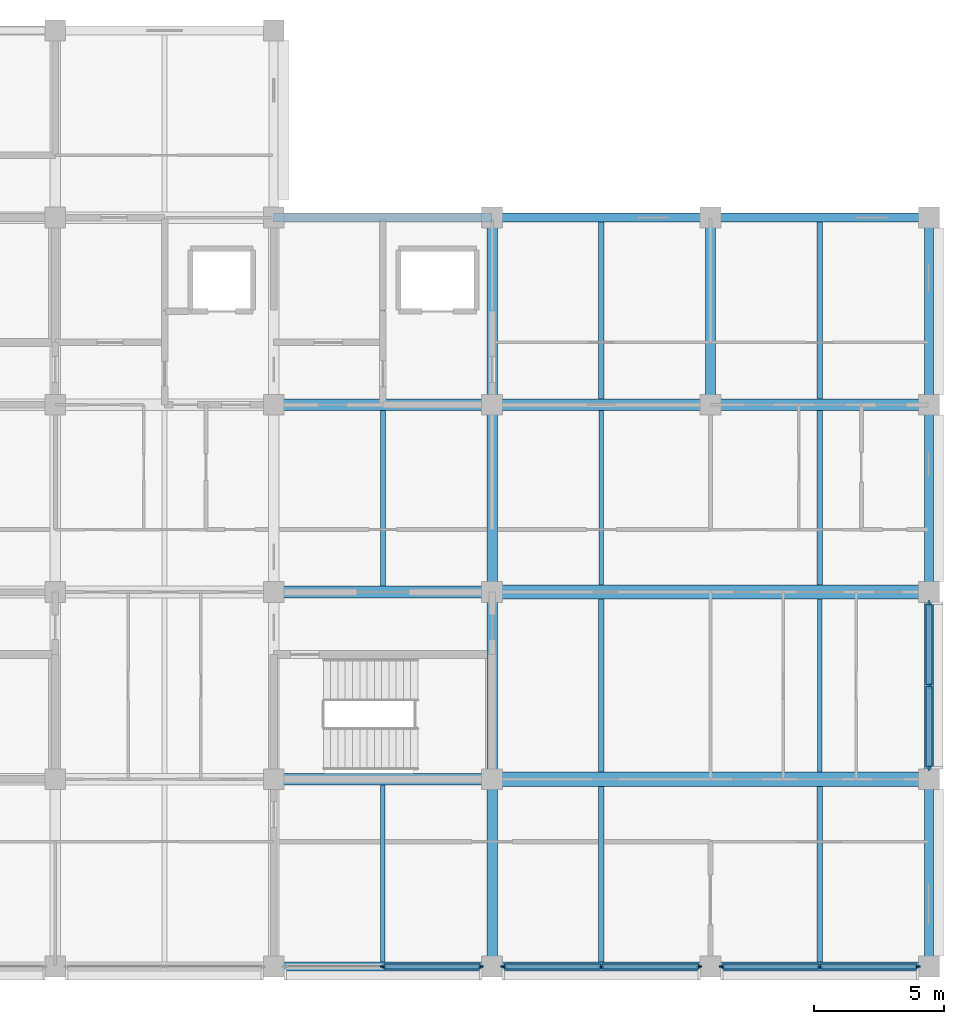
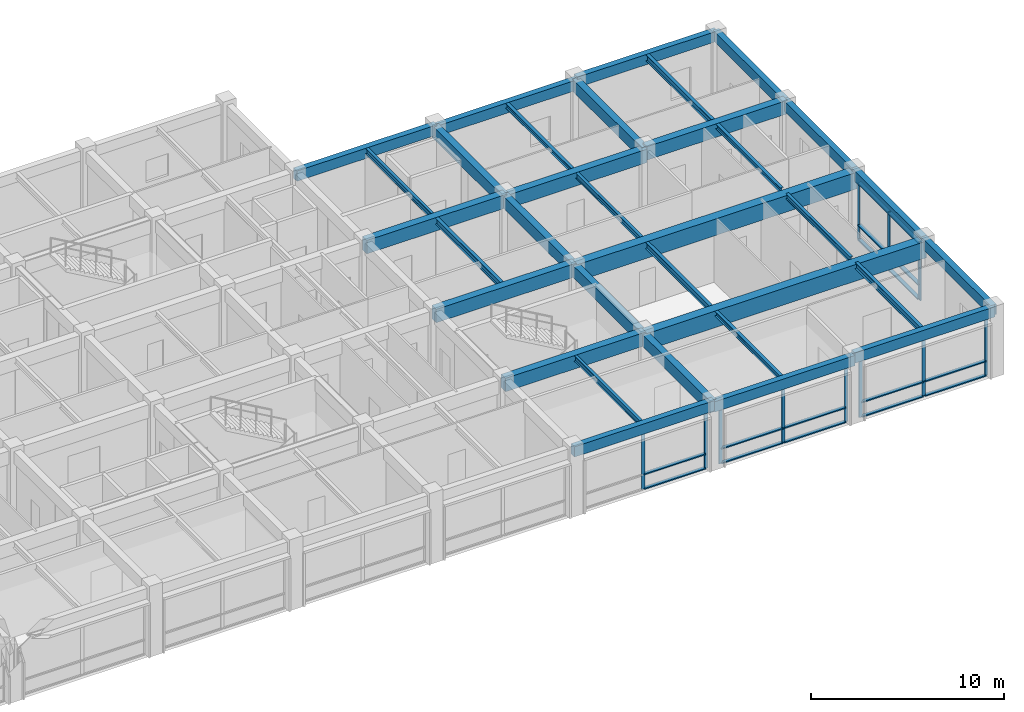
# One storey, part 10 of 30: 33 beams, 32 members, 4 elements without a shape of their own.
"""IFC4 building model written with IfcOpenShell, lengths in metres."""

from ifc_helpers import new_model, si_unit, direction, frame, origin, origin_2d, place, context, subcontext, project, spatial, rectangle, i_section, extrude, material, layer, layer_set, material_profile, profile_set, type_object, element, aggregate, save


model = new_model("IFC4")

# Units and contexts
model_context = context("Model", 3, precision=1e-05, world=origin(), true_north=direction((0.0, 1.0)))
body_context = subcontext(model_context, "Body", "Model", "MODEL_VIEW")
ifc_project = project(units=[si_unit("LENGTHUNIT", "METRE"), si_unit("AREAUNIT", "SQUARE_METRE"), si_unit("VOLUMEUNIT", "CUBIC_METRE"), si_unit("PLANEANGLEUNIT", "RADIAN"), si_unit("MASSUNIT", "GRAM", prefix="KILO")], contexts=[model_context])

# Site, building, storey
site_placement = place(None, origin())
site = spatial("IfcSite", under=ifc_project, at=site_placement, CompositionType="ELEMENT")
building_placement = place(site_placement, origin())
building = spatial("IfcBuilding", under=site, at=building_placement, Name="Chengyuan Square Courthouse", CompositionType="ELEMENT")
storey_placement = place(building_placement, frame((0.0, 0.0, 30.60009765625)))
storey = spatial("IfcBuildingStorey", under=building, at=storey_placement, Name="L07", CompositionType="ELEMENT", Elevation=30.60009765625)

# Beams
ifc_material_1 = material(Name="Concrete C40", Category="concrete")
ifc_material_profile_1 = material_profile(ifc_material_1, rectangle(XDim=0.449951171875, YDim=0.85009765625, at=origin_2d()), Name="RC-BM-450x850")
ifc_profile_set_1 = profile_set([ifc_material_profile_1], Name="Concrete C40")
beam_type_1 = type_object("IfcBeamType", Name="BM-01", PredefinedType="USERDEFINED", material=ifc_profile_set_1)
for number, where, z_axis, x_axis, name in (
    (1, (117.60009765625, 86.39990234375, 3.81494140625), (1.0, 0.0, 0.0), (0.0, 1.0, 0.0), "Girder BM-L07-3601"),
    (2, (117.60009765625, 93.60009765625, 3.81494140625), (1.0, 0.0, 0.0), (0.0, 1.0, 0.0), "Girder BM-L07-3613"),
    (3, (117.60009765625, 100.800048828125, 3.81494140625), (1.0, 0.0, 0.0), (0.0, 1.0, 0.0), "Girder BM-L07-3626"),
    (4, (126.0, 100.800048828125, 3.724853515625), (1.0, 0.0, 0.0), (0.0, 1.0, 0.0), "Girder BM-L07-3627"),
):
    element("IfcBeam", number, at=place(storey_placement, frame(where, z_axis=z_axis, x_axis=x_axis)), inside=storey, type_object=beam_type_1, Name=name, ObjectType="GIRDER", PredefinedType="USERDEFINED", context=body_context, shape_type="SweptSolid", body=[
        extrude(rectangle(XDim=0.449951171875, YDim=0.85009765625, at=origin_2d()), origin(), (0.0, 0.0, 1.0), 8.39990234375),
    ])
beam_1_placement = place(storey_placement, frame((134.39990234375, 100.800048828125, 3.875), z_axis=(1.0, 0.0, 0.0), x_axis=(0.0, 1.0, 0.0)))
element("IfcBeam", 5, at=beam_1_placement, inside=storey, type_object=beam_type_1, Name="Girder BM-L07-3628", ObjectType="GIRDER", PredefinedType="USERDEFINED", context=body_context, shape_type="SweptSolid", body=[
    extrude(rectangle(XDim=0.449951171875, YDim=0.85009765625, at=origin_2d()), origin(), (0.0, 0.0, 1.0), 8.400146484375),
])
ifc_material_profile_2 = material_profile(ifc_material_1, rectangle(XDim=0.39990234375, YDim=0.75, at=origin_2d()), Name="RC-BM-400x750")
ifc_profile_set_2 = profile_set([ifc_material_profile_2], Name="Concrete C40")
beam_type_2 = type_object("IfcBeamType", Name="BM-02", PredefinedType="USERDEFINED", material=ifc_profile_set_2)
beam_2_placement = place(storey_placement, frame((126.0, 79.199951171875, 3.77490234375), z_axis=(0.0, 1.0, 0.0), x_axis=(-1.0, 0.0, 0.0)))
element("IfcBeam", 6, at=beam_2_placement, inside=storey, type_object=beam_type_2, Name="Girder BM-L07-3705", ObjectType="GIRDER", PredefinedType="USERDEFINED", context=body_context, shape_type="SweptSolid", body=[
    extrude(rectangle(XDim=0.39990234375, YDim=0.75, at=origin_2d()), origin(), (0.0, 0.0, 1.0), 7.199951171875),
])
beam_3_placement = place(storey_placement, frame((126.0, 86.39990234375, 3.77490234375), z_axis=(0.0, 1.0, 0.0), x_axis=(-1.0, 0.0, 0.0)))
element("IfcBeam", 7, at=beam_3_placement, inside=storey, type_object=beam_type_2, Name="Girder BM-L07-3706", ObjectType="GIRDER", PredefinedType="USERDEFINED", context=body_context, shape_type="SweptSolid", body=[
    extrude(rectangle(XDim=0.39990234375, YDim=0.75, at=origin_2d()), origin(), (0.0, 0.0, 1.0), 7.2001953125),
])
for number, where, z_axis, x_axis, name in (
    (8, (126.0, 93.60009765625, 3.77490234375), (0.0, 1.0, 0.0), (-1.0, 0.0, 0.0), "Girder BM-L07-3707"),
    (9, (126.0, 100.800048828125, 3.77490234375), (0.0, 1.0, 0.0), (-1.0, 0.0, 0.0), "Girder BM-L07-3708"),
    (10, (134.39990234375, 100.800048828125, 3.77490234375), (0.0, 1.0, 0.0), (-1.0, 0.0, 0.0), "Girder BM-L07-3709"),
):
    element("IfcBeam", number, at=place(storey_placement, frame(where, z_axis=z_axis, x_axis=x_axis)), inside=storey, type_object=beam_type_2, Name=name, ObjectType="GIRDER", PredefinedType="USERDEFINED", context=body_context, shape_type="SweptSolid", body=[
        extrude(rectangle(XDim=0.39990234375, YDim=0.75, at=origin_2d()), origin(), (0.0, 0.0, 1.0), 7.199951171875),
    ])
ifc_material_profile_3 = material_profile(ifc_material_1, rectangle(XDim=0.35009765625, YDim=0.64990234375, at=origin_2d()), Name="RC-BM-350x650")
ifc_profile_set_3 = profile_set([ifc_material_profile_3], Name="Concrete C40")
beam_type_3 = type_object("IfcBeamType", Name="BM-03", PredefinedType="SPANDREL", material=ifc_profile_set_3)
for number, where, z_axis, x_axis, name in (
    (11, (117.60009765625, 79.199951171875, 3.914794921875), (1.0, 0.0, 0.0), (0.0, 1.0, 0.0), "Girder BM-L07-3588"),
    (12, (126.0, 79.199951171875, 3.824951171875), (1.0, 0.0, 0.0), (0.0, 1.0, 0.0), "Girder BM-L07-3589"),
):
    element("IfcBeam", number, at=place(storey_placement, frame(where, z_axis=z_axis, x_axis=x_axis)), inside=storey, type_object=beam_type_3, Name=name, PredefinedType="SPANDREL", context=body_context, shape_type="SweptSolid", body=[
        extrude(rectangle(XDim=0.35009765625, YDim=0.64990234375, at=origin_2d()), origin(), (0.0, 0.0, 1.0), 8.39990234375),
    ])
beam_4_placement = place(storey_placement, frame((134.39990234375, 79.199951171875, 3.974853515625), z_axis=(1.0, 0.0, 0.0), x_axis=(0.0, 1.0, 0.0)))
element("IfcBeam", 13, at=beam_4_placement, inside=storey, type_object=beam_type_3, Name="Girder BM-L07-3590", PredefinedType="SPANDREL", context=body_context, shape_type="SweptSolid", body=[
    extrude(rectangle(XDim=0.35009765625, YDim=0.64990234375, at=origin_2d()), origin(), (0.0, 0.0, 1.0), 8.400146484375),
])
for number, where, z_axis, x_axis, name in (
    (14, (117.60009765625, 108.0, 3.914794921875), (1.0, 0.0, 0.0), (0.0, 1.0, 0.0), "Girder BM-L07-3640"),
    (15, (126.0, 108.0, 3.824951171875), (1.0, 0.0, 0.0), (0.0, 1.0, 0.0), "Girder BM-L07-3641"),
):
    element("IfcBeam", number, at=place(storey_placement, frame(where, z_axis=z_axis, x_axis=x_axis)), inside=storey, type_object=beam_type_3, Name=name, PredefinedType="SPANDREL", context=body_context, shape_type="SweptSolid", body=[
        extrude(rectangle(XDim=0.35009765625, YDim=0.64990234375, at=origin_2d()), origin(), (0.0, 0.0, 1.0), 8.39990234375),
    ])
beam_5_placement = place(storey_placement, frame((134.39990234375, 108.0, 3.974853515625), z_axis=(1.0, 0.0, 0.0), x_axis=(0.0, 1.0, 0.0)))
element("IfcBeam", 16, at=beam_5_placement, inside=storey, type_object=beam_type_3, Name="Girder BM-L07-3642", PredefinedType="SPANDREL", context=body_context, shape_type="SweptSolid", body=[
    extrude(rectangle(XDim=0.35009765625, YDim=0.64990234375, at=origin_2d()), origin(), (0.0, 0.0, 1.0), 8.400146484375),
])
beam_6_placement = place(storey_placement, frame((142.800048828125, 79.199951171875, 3.974853515625), z_axis=(0.0, 1.0, 0.0), x_axis=(-1.0, 0.0, 0.0)))
element("IfcBeam", 17, at=beam_6_placement, inside=storey, type_object=beam_type_3, Name="Girder BM-L07-3710", PredefinedType="SPANDREL", context=body_context, shape_type="SweptSolid", body=[
    extrude(rectangle(XDim=0.35009765625, YDim=0.64990234375, at=origin_2d()), origin(), (0.0, 0.0, 1.0), 7.199951171875),
])
beam_7_placement = place(storey_placement, frame((142.800048828125, 86.39990234375, 3.974853515625), z_axis=(0.0, 1.0, 0.0), x_axis=(-1.0, 0.0, 0.0)))
element("IfcBeam", 18, at=beam_7_placement, inside=storey, type_object=beam_type_3, Name="Girder BM-L07-3711", PredefinedType="SPANDREL", context=body_context, shape_type="SweptSolid", body=[
    extrude(rectangle(XDim=0.35009765625, YDim=0.64990234375, at=origin_2d()), origin(), (0.0, 0.0, 1.0), 7.2001953125),
])
for number, where, z_axis, x_axis, name in (
    (19, (142.800048828125, 93.60009765625, 3.974853515625), (0.0, 1.0, 0.0), (-1.0, 0.0, 0.0), "Girder BM-L07-3712"),
    (20, (142.800048828125, 100.800048828125, 3.974853515625), (0.0, 1.0, 0.0), (-1.0, 0.0, 0.0), "Girder BM-L07-3713"),
):
    element("IfcBeam", number, at=place(storey_placement, frame(where, z_axis=z_axis, x_axis=x_axis)), inside=storey, type_object=beam_type_3, Name=name, PredefinedType="SPANDREL", context=body_context, shape_type="SweptSolid", body=[
        extrude(rectangle(XDim=0.35009765625, YDim=0.64990234375, at=origin_2d()), origin(), (0.0, 0.0, 1.0), 7.199951171875),
    ])
ifc_material_2 = material(Name="Steel Q355B", Category="steel")
ifc_material_profile_4 = material_profile(ifc_material_2, i_section(OverallWidth=0.199951171875, OverallDepth=0.39990234375, WebThickness=0.008056640625, FlangeThickness=0.012939453125, at=origin_2d()), Name="HN 400x200x8x13")
ifc_profile_set_4 = profile_set([ifc_material_profile_4], Name="Steel Q355B")
beam_type_4 = type_object("IfcBeamType", Name="BM-07", PredefinedType="BEAM", material=ifc_profile_set_4)
beam_8_placement = place(storey_placement, frame((121.800048828125, 93.824951171875, 4.039794921875), z_axis=(0.0, 1.0, 0.0), x_axis=(-1.0, 0.0, 0.0)))
element("IfcBeam", 21, at=beam_8_placement, inside=storey, type_object=beam_type_4, Name="Secondary Floor Beam SBM-L07-3758", PredefinedType="BEAM", context=body_context, shape_type="SweptSolid", body=[
    extrude(i_section(OverallWidth=0.199951171875, OverallDepth=0.39990234375, WebThickness=0.008056640625, FlangeThickness=0.012939453125, at=origin_2d()), origin(), (0.0, 0.0, 1.0), 6.75),
])
beam_9_placement = place(storey_placement, frame((130.199951171875, 86.675048828125, 3.949951171875), z_axis=(0.0, 1.0, 0.0), x_axis=(-1.0, 0.0, 0.0)))
element("IfcBeam", 22, at=beam_9_placement, inside=storey, type_object=beam_type_4, Name="Secondary Floor Beam SBM-L07-3761", PredefinedType="BEAM", context=body_context, shape_type="SweptSolid", body=[
    extrude(i_section(OverallWidth=0.199951171875, OverallDepth=0.39990234375, WebThickness=0.008056640625, FlangeThickness=0.012939453125, at=origin_2d()), origin(), (0.0, 0.0, 1.0), 6.64990234375),
])
beam_10_placement = place(storey_placement, frame((138.60009765625, 79.375, 4.099853515625), z_axis=(0.0, 1.0, 0.0), x_axis=(-1.0, 0.0, 0.0)))
element("IfcBeam", 23, at=beam_10_placement, inside=storey, type_object=beam_type_4, Name="Secondary Floor Beam SBM-L07-3764", PredefinedType="BEAM", context=body_context, shape_type="SweptSolid", body=[
    extrude(i_section(OverallWidth=0.199951171875, OverallDepth=0.39990234375, WebThickness=0.008056640625, FlangeThickness=0.012939453125, at=origin_2d()), origin(), (0.0, 0.0, 1.0), 6.75),
])
beam_11_placement = place(storey_placement, frame((138.60009765625, 101.02490234375, 4.099853515625), z_axis=(0.0, 1.0, 0.0), x_axis=(-1.0, 0.0, 0.0)))
element("IfcBeam", 24, at=beam_11_placement, inside=storey, type_object=beam_type_4, Name="Secondary Floor Beam SBM-L07-3767", PredefinedType="BEAM", context=body_context, shape_type="SweptSolid", body=[
    extrude(i_section(OverallWidth=0.199951171875, OverallDepth=0.39990234375, WebThickness=0.008056640625, FlangeThickness=0.012939453125, at=origin_2d()), origin(), (0.0, 0.0, 1.0), 6.800048828125),
])
ifc_material_profile_5 = material_profile(ifc_material_2, i_section(OverallWidth=0.175048828125, OverallDepth=0.35009765625, WebThickness=0.007080078125, FlangeThickness=0.010986328125, at=origin_2d()), Name="HN 350x175x7x11")
ifc_profile_set_5 = profile_set([ifc_material_profile_5], Name="Steel Q355B")
beam_type_5 = type_object("IfcBeamType", Name="BM-08", PredefinedType="BEAM", material=ifc_profile_set_5)
for number, where, z_axis, x_axis, name in (
    (25, (121.800048828125, 79.375, 4.06494140625), (0.0, 1.0, 0.0), (-1.0, 0.0, 0.0), "Secondary Floor Beam SBM-L07-3757"),
    (26, (121.800048828125, 101.02490234375, 4.06494140625), (0.0, 1.0, 0.0), (-1.0, 0.0, 0.0), "Secondary Floor Beam SBM-L07-3759"),
):
    element("IfcBeam", number, at=place(storey_placement, frame(where, z_axis=z_axis, x_axis=x_axis)), inside=storey, type_object=beam_type_5, Name=name, PredefinedType="BEAM", context=body_context, shape_type="SweptSolid", body=[
        extrude(i_section(OverallWidth=0.175048828125, OverallDepth=0.35009765625, WebThickness=0.007080078125, FlangeThickness=0.010986328125, at=origin_2d()), origin(), (0.0, 0.0, 1.0), 6.800048828125),
    ])
beam_12_placement = place(storey_placement, frame((130.199951171875, 93.875, 3.974853515625), z_axis=(0.0, 1.0, 0.0), x_axis=(-1.0, 0.0, 0.0)))
element("IfcBeam", 27, at=beam_12_placement, inside=storey, type_object=beam_type_5, Name="Secondary Floor Beam SBM-L07-3762", PredefinedType="BEAM", context=body_context, shape_type="SweptSolid", body=[
    extrude(i_section(OverallWidth=0.175048828125, OverallDepth=0.35009765625, WebThickness=0.007080078125, FlangeThickness=0.010986328125, at=origin_2d()), origin(), (0.0, 0.0, 1.0), 6.699951171875),
])
beam_13_placement = place(storey_placement, frame((138.60009765625, 86.675048828125, 4.125), z_axis=(0.0, 1.0, 0.0), x_axis=(-1.0, 0.0, 0.0)))
element("IfcBeam", 28, at=beam_13_placement, inside=storey, type_object=beam_type_5, Name="Secondary Floor Beam SBM-L07-3765", PredefinedType="BEAM", context=body_context, shape_type="SweptSolid", body=[
    extrude(i_section(OverallWidth=0.175048828125, OverallDepth=0.35009765625, WebThickness=0.007080078125, FlangeThickness=0.010986328125, at=origin_2d()), origin(), (0.0, 0.0, 1.0), 6.64990234375),
])
ifc_material_profile_6 = material_profile(ifc_material_2, i_section(OverallWidth=0.199951171875, OverallDepth=0.300048828125, WebThickness=0.008056640625, FlangeThickness=0.011962890625, at=origin_2d()), Name="HM 300x200x8x12")
ifc_profile_set_6 = profile_set([ifc_material_profile_6], Name="Steel Q355B")
beam_type_6 = type_object("IfcBeamType", Name="BM-09", PredefinedType="BEAM", material=ifc_profile_set_6)
beam_14_placement = place(storey_placement, frame((130.199951171875, 79.375, 4.0), z_axis=(0.0, 1.0, 0.0), x_axis=(-1.0, 0.0, 0.0)))
element("IfcBeam", 29, at=beam_14_placement, inside=storey, type_object=beam_type_6, Name="Secondary Floor Beam SBM-L07-3760", PredefinedType="BEAM", context=body_context, shape_type="SweptSolid", body=[
    extrude(i_section(OverallWidth=0.199951171875, OverallDepth=0.300048828125, WebThickness=0.008056640625, FlangeThickness=0.011962890625, at=origin_2d()), origin(), (0.0, 0.0, 1.0), 6.75),
])
beam_15_placement = place(storey_placement, frame((130.199951171875, 101.02490234375, 4.0), z_axis=(0.0, 1.0, 0.0), x_axis=(-1.0, 0.0, 0.0)))
element("IfcBeam", 30, at=beam_15_placement, inside=storey, type_object=beam_type_6, Name="Secondary Floor Beam SBM-L07-3763", PredefinedType="BEAM", context=body_context, shape_type="SweptSolid", body=[
    extrude(i_section(OverallWidth=0.199951171875, OverallDepth=0.300048828125, WebThickness=0.008056640625, FlangeThickness=0.011962890625, at=origin_2d()), origin(), (0.0, 0.0, 1.0), 6.800048828125),
])
beam_16_placement = place(storey_placement, frame((138.60009765625, 93.875, 4.14990234375), z_axis=(0.0, 1.0, 0.0), x_axis=(-1.0, 0.0, 0.0)))
element("IfcBeam", 31, at=beam_16_placement, inside=storey, type_object=beam_type_6, Name="Secondary Floor Beam SBM-L07-3766", PredefinedType="BEAM", context=body_context, shape_type="SweptSolid", body=[
    extrude(i_section(OverallWidth=0.199951171875, OverallDepth=0.300048828125, WebThickness=0.008056640625, FlangeThickness=0.011962890625, at=origin_2d()), origin(), (0.0, 0.0, 1.0), 6.699951171875),
])

# Curtain wall, members
ifc_material_3 = material(Name="Unitised Aluminium and Triple Low-E Glass", Category="aluminium")
ifc_layer_1 = layer(ifc_material_3, 0.199951171875)
ifc_layer_set_1 = layer_set([ifc_layer_1], Name="Unitised Aluminium and Triple Low-E Glass")
curtain_wall_type_1 = type_object("IfcCurtainWallType", Name="CW-19", PredefinedType="USERDEFINED", material=ifc_layer_set_1)
curtain_wall_1_placement = place(storey_placement, origin())
curtain_wall_1 = element("IfcCurtainWall", 32, at=curtain_wall_1_placement, inside=storey, type_object=curtain_wall_type_1, Name="Unitised Curtain Wall CW-L07-217", ObjectType="UNITISED CURTAIN WALL", PredefinedType="USERDEFINED")
ifc_material_4 = material(Name="Aluminium 6063-T6 Frame", Category="aluminium")
ifc_material_profile_7 = material_profile(ifc_material_4, rectangle(XDim=0.070068359375, YDim=0.199951171875, at=origin_2d()), Name="CW-MUL-70x200")
ifc_profile_set_7 = profile_set([ifc_material_profile_7], Name="Aluminium 6063-T6 Frame")
member_type_1 = type_object("IfcMemberType", Name="CWM-03", PredefinedType="MULLION", material=ifc_profile_set_7)
member_1_placement = place(storey_placement, frame((121.800048828125, 79.199951171875, 0.0), z_axis=(0.0, 0.0, 1.0), x_axis=(0.0, 1.0, 0.0)))
member_1 = element("IfcMember", 33, at=member_1_placement, type_object=member_type_1, Name="CW-19 mullion 2", PredefinedType="MULLION", context=body_context, shape_type="SweptSolid", body=[
    extrude(rectangle(XDim=0.070068359375, YDim=0.199951171875, at=origin_2d()), origin(), (0.0, 0.0, 1.0), 3.58984375),
])
member_2_placement = place(storey_placement, frame((125.56494140625, 79.199951171875, 0.0), z_axis=(0.0, 0.0, 1.0), x_axis=(0.0, 1.0, 0.0)))
member_2 = element("IfcMember", 34, at=member_2_placement, type_object=member_type_1, Name="CW-19 mullion 3", PredefinedType="MULLION", context=body_context, shape_type="SweptSolid", body=[
    extrude(rectangle(XDim=0.070068359375, YDim=0.199951171875, at=origin_2d()), origin(), (0.0, 0.0, 1.0), 3.58984375),
])

curtain_wall_2_placement = place(storey_placement, origin())
curtain_wall_2 = element("IfcCurtainWall", 35, at=curtain_wall_2_placement, inside=storey, type_object=curtain_wall_type_1, Name="Unitised Curtain Wall CW-L07-218", ObjectType="UNITISED CURTAIN WALL", PredefinedType="USERDEFINED")
member_3_placement = place(storey_placement, frame((126.43505859375, 79.199951171875, 0.0), z_axis=(0.0, 0.0, 1.0), x_axis=(0.0, 1.0, 0.0)))
member_3 = element("IfcMember", 36, at=member_3_placement, type_object=member_type_1, Name="CW-19 mullion 1", PredefinedType="MULLION", context=body_context, shape_type="SweptSolid", body=[
    extrude(rectangle(XDim=0.070068359375, YDim=0.199951171875, at=origin_2d()), origin(), (0.0, 0.0, 1.0), 3.5),
])
member_4_placement = place(storey_placement, frame((130.199951171875, 79.199951171875, 0.0), z_axis=(0.0, 0.0, 1.0), x_axis=(0.0, 1.0, 0.0)))
member_4 = element("IfcMember", 37, at=member_4_placement, type_object=member_type_1, Name="CW-19 mullion 2", PredefinedType="MULLION", context=body_context, shape_type="SweptSolid", body=[
    extrude(rectangle(XDim=0.070068359375, YDim=0.199951171875, at=origin_2d()), origin(), (0.0, 0.0, 1.0), 3.5),
])
member_5_placement = place(storey_placement, frame((133.965087890625, 79.199951171875, 0.0), z_axis=(0.0, 0.0, 1.0), x_axis=(0.0, 1.0, 0.0)))
member_5 = element("IfcMember", 38, at=member_5_placement, type_object=member_type_1, Name="CW-19 mullion 3", PredefinedType="MULLION", context=body_context, shape_type="SweptSolid", body=[
    extrude(rectangle(XDim=0.070068359375, YDim=0.199951171875, at=origin_2d()), origin(), (0.0, 0.0, 1.0), 3.5),
])

curtain_wall_3_placement = place(storey_placement, origin())
curtain_wall_3 = element("IfcCurtainWall", 39, at=curtain_wall_3_placement, inside=storey, type_object=curtain_wall_type_1, Name="Unitised Curtain Wall CW-L07-219", ObjectType="UNITISED CURTAIN WALL", PredefinedType="USERDEFINED")
member_6_placement = place(storey_placement, frame((134.8349609375, 79.199951171875, 0.0), z_axis=(0.0, 0.0, 1.0), x_axis=(0.0, 1.0, 0.0)))
member_6 = element("IfcMember", 40, at=member_6_placement, type_object=member_type_1, Name="CW-19 mullion 1", PredefinedType="MULLION", context=body_context, shape_type="SweptSolid", body=[
    extrude(rectangle(XDim=0.070068359375, YDim=0.199951171875, at=origin_2d()), origin(), (0.0, 0.0, 1.0), 3.64990234375),
])
member_7_placement = place(storey_placement, frame((138.60009765625, 79.199951171875, 0.0), z_axis=(0.0, 0.0, 1.0), x_axis=(0.0, 1.0, 0.0)))
member_7 = element("IfcMember", 41, at=member_7_placement, type_object=member_type_1, Name="CW-19 mullion 2", PredefinedType="MULLION", context=body_context, shape_type="SweptSolid", body=[
    extrude(rectangle(XDim=0.070068359375, YDim=0.199951171875, at=origin_2d()), origin(), (0.0, 0.0, 1.0), 3.64990234375),
])
member_8_placement = place(storey_placement, frame((142.364990234375, 79.199951171875, 0.0), z_axis=(0.0, 0.0, 1.0), x_axis=(0.0, 1.0, 0.0)))
member_8 = element("IfcMember", 42, at=member_8_placement, type_object=member_type_1, Name="CW-19 mullion 3", PredefinedType="MULLION", context=body_context, shape_type="SweptSolid", body=[
    extrude(rectangle(XDim=0.070068359375, YDim=0.199951171875, at=origin_2d()), origin(), (0.0, 0.0, 1.0), 3.64990234375),
])

ifc_layer_2 = layer(ifc_material_3, 0.219970703125)
ifc_layer_set_2 = layer_set([ifc_layer_2], Name="Unitised Aluminium and Triple Low-E Glass")
curtain_wall_type_2 = type_object("IfcCurtainWallType", Name="CW-08", PredefinedType="USERDEFINED", material=ifc_layer_set_2)
curtain_wall_4_placement = place(storey_placement, origin())
curtain_wall_4 = element("IfcCurtainWall", 43, at=curtain_wall_4_placement, inside=storey, type_object=curtain_wall_type_2, Name="Unitised Curtain Wall CW-L07-220", ObjectType="UNITISED CURTAIN WALL", PredefinedType="USERDEFINED")
ifc_material_profile_8 = material_profile(ifc_material_4, rectangle(XDim=0.080078125, YDim=0.219970703125, at=origin_2d()), Name="CW-MUL-80x220")
ifc_profile_set_8 = profile_set([ifc_material_profile_8], Name="Aluminium 6063-T6 Frame")
member_type_2 = type_object("IfcMemberType", Name="CWM-04", PredefinedType="MULLION", material=ifc_profile_set_8)
member_9_placement = place(storey_placement, frame((142.800048828125, 86.840087890625, 0.0), z_axis=(0.0, 0.0, 1.0), x_axis=(-1.0, 0.0, 0.0)))
member_9 = element("IfcMember", 44, at=member_9_placement, type_object=member_type_2, Name="CW-08 mullion 1", PredefinedType="MULLION", context=body_context, shape_type="SweptSolid", body=[
    extrude(rectangle(XDim=0.080078125, YDim=0.219970703125, at=origin_2d()), origin(), (0.0, 0.0, 1.0), 3.64990234375),
])
member_10_placement = place(storey_placement, frame((142.800048828125, 90.0, 0.0), z_axis=(0.0, 0.0, 1.0), x_axis=(-1.0, 0.0, 0.0)))
member_10 = element("IfcMember", 45, at=member_10_placement, type_object=member_type_2, Name="CW-08 mullion 2", PredefinedType="MULLION", context=body_context, shape_type="SweptSolid", body=[
    extrude(rectangle(XDim=0.080078125, YDim=0.219970703125, at=origin_2d()), origin(), (0.0, 0.0, 1.0), 3.64990234375),
])
member_11_placement = place(storey_placement, frame((142.800048828125, 93.159912109375, 0.0), z_axis=(0.0, 0.0, 1.0), x_axis=(-1.0, 0.0, 0.0)))
member_11 = element("IfcMember", 46, at=member_11_placement, type_object=member_type_2, Name="CW-08 mullion 3", PredefinedType="MULLION", context=body_context, shape_type="SweptSolid", body=[
    extrude(rectangle(XDim=0.080078125, YDim=0.219970703125, at=origin_2d()), origin(), (0.0, 0.0, 1.0), 3.64990234375),
])

# Member
ifc_material_profile_9 = material_profile(ifc_material_4, rectangle(XDim=0.199951171875, YDim=0.070068359375, at=origin_2d()), Name="CW-TRN-70x160")
ifc_profile_set_9 = profile_set([ifc_material_profile_9], Name="Aluminium 6063-T6 Frame")
member_type_3 = type_object("IfcMemberType", Name="CWT-03", PredefinedType="USERDEFINED", material=ifc_profile_set_9)
member_12_placement = place(storey_placement, frame((121.8349609375, 79.199951171875, 0.034912109375), z_axis=(1.0, 0.0, 0.0), x_axis=(0.0, 1.0, 0.0)))
member_12 = element("IfcMember", 47, at=member_12_placement, type_object=member_type_3, Name="CW-19 transom 2.1", ObjectType="TRANSOM", PredefinedType="USERDEFINED", context=body_context, shape_type="SweptSolid", body=[
    extrude(rectangle(XDim=0.199951171875, YDim=0.070068359375, at=origin_2d()), origin(), (0.0, 0.0, 1.0), 3.695068359375),
])

member_13_placement = place(storey_placement, frame((121.8349609375, 79.199951171875, 0.949951171875), z_axis=(1.0, 0.0, 0.0), x_axis=(0.0, 1.0, 0.0)))
member_13 = element("IfcMember", 48, at=member_13_placement, type_object=member_type_3, Name="CW-19 transom 2.2", ObjectType="TRANSOM", PredefinedType="USERDEFINED", context=body_context, shape_type="SweptSolid", body=[
    extrude(rectangle(XDim=0.199951171875, YDim=0.070068359375, at=origin_2d()), origin(), (0.0, 0.0, 1.0), 3.695068359375),
])

member_14_placement = place(storey_placement, frame((121.8349609375, 79.199951171875, 3.554931640625), z_axis=(1.0, 0.0, 0.0), x_axis=(0.0, 1.0, 0.0)))
member_14 = element("IfcMember", 49, at=member_14_placement, type_object=member_type_3, Name="CW-19 transom 2.3", ObjectType="TRANSOM", PredefinedType="USERDEFINED", context=body_context, shape_type="SweptSolid", body=[
    extrude(rectangle(XDim=0.199951171875, YDim=0.070068359375, at=origin_2d()), origin(), (0.0, 0.0, 1.0), 3.695068359375),
])

aggregate(curtain_wall_1, [member_1, member_2, member_12, member_13, member_14])

member_15_placement = place(storey_placement, frame((126.469970703125, 79.199951171875, 0.034912109375), z_axis=(1.0, 0.0, 0.0), x_axis=(0.0, 1.0, 0.0)))
member_15 = element("IfcMember", 50, at=member_15_placement, type_object=member_type_3, Name="CW-19 transom 1.1", ObjectType="TRANSOM", PredefinedType="USERDEFINED", context=body_context, shape_type="SweptSolid", body=[
    extrude(rectangle(XDim=0.199951171875, YDim=0.070068359375, at=origin_2d()), origin(), (0.0, 0.0, 1.0), 3.695068359375),
])

member_16_placement = place(storey_placement, frame((126.469970703125, 79.199951171875, 0.949951171875), z_axis=(1.0, 0.0, 0.0), x_axis=(0.0, 1.0, 0.0)))
member_16 = element("IfcMember", 51, at=member_16_placement, type_object=member_type_3, Name="CW-19 transom 1.2", ObjectType="TRANSOM", PredefinedType="USERDEFINED", context=body_context, shape_type="SweptSolid", body=[
    extrude(rectangle(XDim=0.199951171875, YDim=0.070068359375, at=origin_2d()), origin(), (0.0, 0.0, 1.0), 3.695068359375),
])

member_17_placement = place(storey_placement, frame((126.469970703125, 79.199951171875, 3.46484375), z_axis=(1.0, 0.0, 0.0), x_axis=(0.0, 1.0, 0.0)))
member_17 = element("IfcMember", 52, at=member_17_placement, type_object=member_type_3, Name="CW-19 transom 1.3", ObjectType="TRANSOM", PredefinedType="USERDEFINED", context=body_context, shape_type="SweptSolid", body=[
    extrude(rectangle(XDim=0.199951171875, YDim=0.070068359375, at=origin_2d()), origin(), (0.0, 0.0, 1.0), 3.695068359375),
])

member_18_placement = place(storey_placement, frame((130.235107421875, 79.199951171875, 0.034912109375), z_axis=(1.0, 0.0, 0.0), x_axis=(0.0, 1.0, 0.0)))
member_18 = element("IfcMember", 53, at=member_18_placement, type_object=member_type_3, Name="CW-19 transom 2.1", ObjectType="TRANSOM", PredefinedType="USERDEFINED", context=body_context, shape_type="SweptSolid", body=[
    extrude(rectangle(XDim=0.199951171875, YDim=0.070068359375, at=origin_2d()), origin(), (0.0, 0.0, 1.0), 3.69482421875),
])

member_19_placement = place(storey_placement, frame((130.235107421875, 79.199951171875, 0.949951171875), z_axis=(1.0, 0.0, 0.0), x_axis=(0.0, 1.0, 0.0)))
member_19 = element("IfcMember", 54, at=member_19_placement, type_object=member_type_3, Name="CW-19 transom 2.2", ObjectType="TRANSOM", PredefinedType="USERDEFINED", context=body_context, shape_type="SweptSolid", body=[
    extrude(rectangle(XDim=0.199951171875, YDim=0.070068359375, at=origin_2d()), origin(), (0.0, 0.0, 1.0), 3.69482421875),
])

member_20_placement = place(storey_placement, frame((130.235107421875, 79.199951171875, 3.46484375), z_axis=(1.0, 0.0, 0.0), x_axis=(0.0, 1.0, 0.0)))
member_20 = element("IfcMember", 55, at=member_20_placement, type_object=member_type_3, Name="CW-19 transom 2.3", ObjectType="TRANSOM", PredefinedType="USERDEFINED", context=body_context, shape_type="SweptSolid", body=[
    extrude(rectangle(XDim=0.199951171875, YDim=0.070068359375, at=origin_2d()), origin(), (0.0, 0.0, 1.0), 3.69482421875),
])

aggregate(curtain_wall_2, [member_3, member_4, member_5, member_15, member_16, member_17, member_18, member_19, member_20])

member_21_placement = place(storey_placement, frame((134.8701171875, 79.199951171875, 0.034912109375), z_axis=(1.0, 0.0, 0.0), x_axis=(0.0, 1.0, 0.0)))
member_21 = element("IfcMember", 56, at=member_21_placement, type_object=member_type_3, Name="CW-19 transom 1.1", ObjectType="TRANSOM", PredefinedType="USERDEFINED", context=body_context, shape_type="SweptSolid", body=[
    extrude(rectangle(XDim=0.199951171875, YDim=0.070068359375, at=origin_2d()), origin(), (0.0, 0.0, 1.0), 3.69482421875),
])

member_22_placement = place(storey_placement, frame((134.8701171875, 79.199951171875, 0.949951171875), z_axis=(1.0, 0.0, 0.0), x_axis=(0.0, 1.0, 0.0)))
member_22 = element("IfcMember", 57, at=member_22_placement, type_object=member_type_3, Name="CW-19 transom 1.2", ObjectType="TRANSOM", PredefinedType="USERDEFINED", context=body_context, shape_type="SweptSolid", body=[
    extrude(rectangle(XDim=0.199951171875, YDim=0.070068359375, at=origin_2d()), origin(), (0.0, 0.0, 1.0), 3.69482421875),
])

member_23_placement = place(storey_placement, frame((134.8701171875, 79.199951171875, 3.614990234375), z_axis=(1.0, 0.0, 0.0), x_axis=(0.0, 1.0, 0.0)))
member_23 = element("IfcMember", 58, at=member_23_placement, type_object=member_type_3, Name="CW-19 transom 1.3", ObjectType="TRANSOM", PredefinedType="USERDEFINED", context=body_context, shape_type="SweptSolid", body=[
    extrude(rectangle(XDim=0.199951171875, YDim=0.070068359375, at=origin_2d()), origin(), (0.0, 0.0, 1.0), 3.69482421875),
])

member_24_placement = place(storey_placement, frame((138.635009765625, 79.199951171875, 0.034912109375), z_axis=(1.0, 0.0, 0.0), x_axis=(0.0, 1.0, 0.0)))
member_24 = element("IfcMember", 59, at=member_24_placement, type_object=member_type_3, Name="CW-19 transom 2.1", ObjectType="TRANSOM", PredefinedType="USERDEFINED", context=body_context, shape_type="SweptSolid", body=[
    extrude(rectangle(XDim=0.199951171875, YDim=0.070068359375, at=origin_2d()), origin(), (0.0, 0.0, 1.0), 3.695068359375),
])

member_25_placement = place(storey_placement, frame((138.635009765625, 79.199951171875, 0.949951171875), z_axis=(1.0, 0.0, 0.0), x_axis=(0.0, 1.0, 0.0)))
member_25 = element("IfcMember", 60, at=member_25_placement, type_object=member_type_3, Name="CW-19 transom 2.2", ObjectType="TRANSOM", PredefinedType="USERDEFINED", context=body_context, shape_type="SweptSolid", body=[
    extrude(rectangle(XDim=0.199951171875, YDim=0.070068359375, at=origin_2d()), origin(), (0.0, 0.0, 1.0), 3.695068359375),
])

member_26_placement = place(storey_placement, frame((138.635009765625, 79.199951171875, 3.614990234375), z_axis=(1.0, 0.0, 0.0), x_axis=(0.0, 1.0, 0.0)))
member_26 = element("IfcMember", 61, at=member_26_placement, type_object=member_type_3, Name="CW-19 transom 2.3", ObjectType="TRANSOM", PredefinedType="USERDEFINED", context=body_context, shape_type="SweptSolid", body=[
    extrude(rectangle(XDim=0.199951171875, YDim=0.070068359375, at=origin_2d()), origin(), (0.0, 0.0, 1.0), 3.695068359375),
])

aggregate(curtain_wall_3, [member_6, member_7, member_8, member_21, member_22, member_23, member_24, member_25, member_26])

ifc_material_profile_10 = material_profile(ifc_material_4, rectangle(XDim=0.219970703125, YDim=0.080078125, at=origin_2d()), Name="CW-TRN-80x180")
ifc_profile_set_10 = profile_set([ifc_material_profile_10], Name="Aluminium 6063-T6 Frame")
member_type_4 = type_object("IfcMemberType", Name="CWT-04", PredefinedType="USERDEFINED", material=ifc_profile_set_10)
member_27_placement = place(storey_placement, frame((142.800048828125, 86.8798828125, 0.039794921875), z_axis=(0.0, 1.0, 0.0), x_axis=(-1.0, 0.0, 0.0)))
member_27 = element("IfcMember", 62, at=member_27_placement, type_object=member_type_4, Name="CW-08 transom 1.1", ObjectType="TRANSOM", PredefinedType="USERDEFINED", context=body_context, shape_type="SweptSolid", body=[
    extrude(rectangle(XDim=0.219970703125, YDim=0.080078125, at=origin_2d()), origin(), (0.0, 0.0, 1.0), 3.080078125),
])

member_28_placement = place(storey_placement, frame((142.800048828125, 86.8798828125, 0.949951171875), z_axis=(0.0, 1.0, 0.0), x_axis=(-1.0, 0.0, 0.0)))
member_28 = element("IfcMember", 63, at=member_28_placement, type_object=member_type_4, Name="CW-08 transom 1.2", ObjectType="TRANSOM", PredefinedType="USERDEFINED", context=body_context, shape_type="SweptSolid", body=[
    extrude(rectangle(XDim=0.219970703125, YDim=0.080078125, at=origin_2d()), origin(), (0.0, 0.0, 1.0), 3.080078125),
])

member_29_placement = place(storey_placement, frame((142.800048828125, 86.8798828125, 3.60986328125), z_axis=(0.0, 1.0, 0.0), x_axis=(-1.0, 0.0, 0.0)))
member_29 = element("IfcMember", 64, at=member_29_placement, type_object=member_type_4, Name="CW-08 transom 1.3", ObjectType="TRANSOM", PredefinedType="USERDEFINED", context=body_context, shape_type="SweptSolid", body=[
    extrude(rectangle(XDim=0.219970703125, YDim=0.080078125, at=origin_2d()), origin(), (0.0, 0.0, 1.0), 3.080078125),
])

member_30_placement = place(storey_placement, frame((142.800048828125, 90.0400390625, 0.039794921875), z_axis=(0.0, 1.0, 0.0), x_axis=(-1.0, 0.0, 0.0)))
member_30 = element("IfcMember", 65, at=member_30_placement, type_object=member_type_4, Name="CW-08 transom 2.1", ObjectType="TRANSOM", PredefinedType="USERDEFINED", context=body_context, shape_type="SweptSolid", body=[
    extrude(rectangle(XDim=0.219970703125, YDim=0.080078125, at=origin_2d()), origin(), (0.0, 0.0, 1.0), 3.080078125),
])

member_31_placement = place(storey_placement, frame((142.800048828125, 90.0400390625, 0.949951171875), z_axis=(0.0, 1.0, 0.0), x_axis=(-1.0, 0.0, 0.0)))
member_31 = element("IfcMember", 66, at=member_31_placement, type_object=member_type_4, Name="CW-08 transom 2.2", ObjectType="TRANSOM", PredefinedType="USERDEFINED", context=body_context, shape_type="SweptSolid", body=[
    extrude(rectangle(XDim=0.219970703125, YDim=0.080078125, at=origin_2d()), origin(), (0.0, 0.0, 1.0), 3.080078125),
])

member_32_placement = place(storey_placement, frame((142.800048828125, 90.0400390625, 3.60986328125), z_axis=(0.0, 1.0, 0.0), x_axis=(-1.0, 0.0, 0.0)))
member_32 = element("IfcMember", 67, at=member_32_placement, type_object=member_type_4, Name="CW-08 transom 2.3", ObjectType="TRANSOM", PredefinedType="USERDEFINED", context=body_context, shape_type="SweptSolid", body=[
    extrude(rectangle(XDim=0.219970703125, YDim=0.080078125, at=origin_2d()), origin(), (0.0, 0.0, 1.0), 3.080078125),
])

aggregate(curtain_wall_4, [member_9, member_10, member_11, member_27, member_28, member_29, member_30, member_31, member_32])

# Beams
ifc_material_5 = material(Name="Post-tensioned Concrete C50", Category="concrete")
ifc_material_profile_11 = material_profile(ifc_material_5, rectangle(XDim=0.550048828125, YDim=1.050048828125, at=origin_2d()), Name="PT-BM-550x1050")
ifc_profile_set_11 = profile_set([ifc_material_profile_11], Name="Post-tensioned Concrete C50")
beam_type_7 = type_object("IfcBeamType", Name="PT-01", PredefinedType="USERDEFINED", material=ifc_profile_set_11)
for number, where, z_axis, x_axis, name in (
    (68, (126.0, 86.39990234375, 3.625), (1.0, 0.0, 0.0), (0.0, 1.0, 0.0), "Girder BM-L07-3602"),
    (69, (126.0, 93.60009765625, 3.625), (1.0, 0.0, 0.0), (0.0, 1.0, 0.0), "Girder BM-L07-3614"),
):
    element("IfcBeam", number, at=place(storey_placement, frame(where, z_axis=z_axis, x_axis=x_axis)), inside=storey, type_object=beam_type_7, Name=name, ObjectType="GIRDER", PredefinedType="USERDEFINED", context=body_context, shape_type="SweptSolid", body=[
        extrude(rectangle(XDim=0.550048828125, YDim=1.050048828125, at=origin_2d()), origin(), (0.0, 0.0, 1.0), 16.800048828125),
    ])

save(model, "model.ifc")
